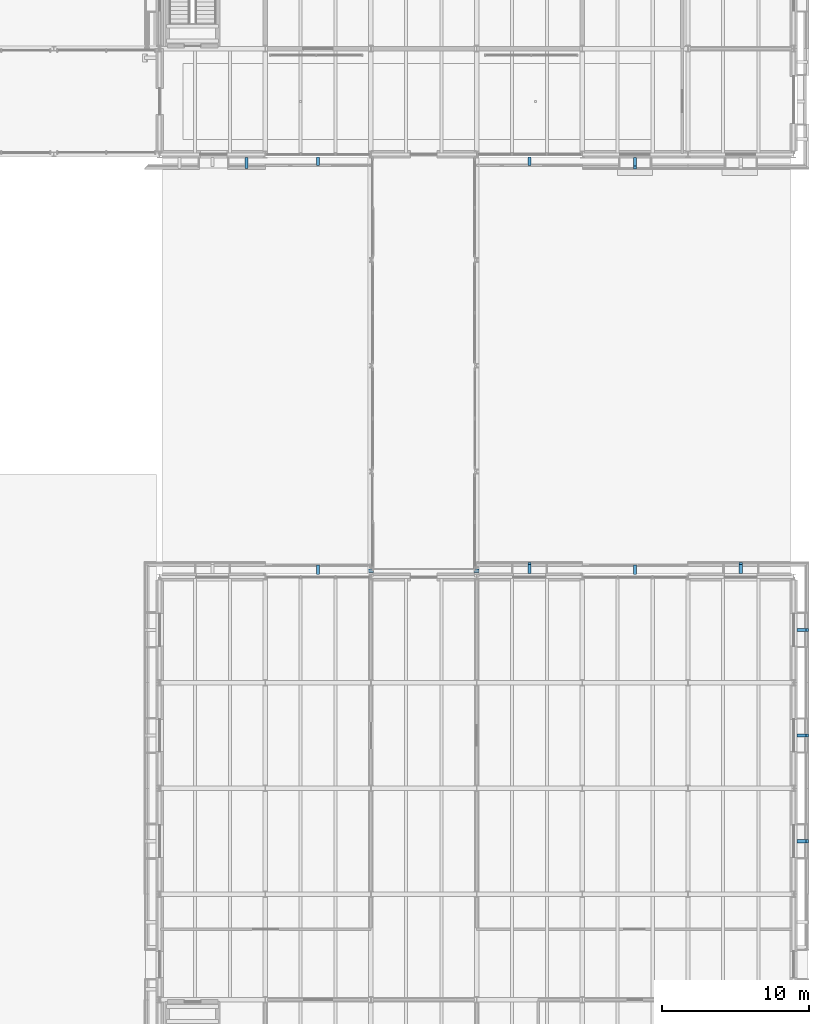
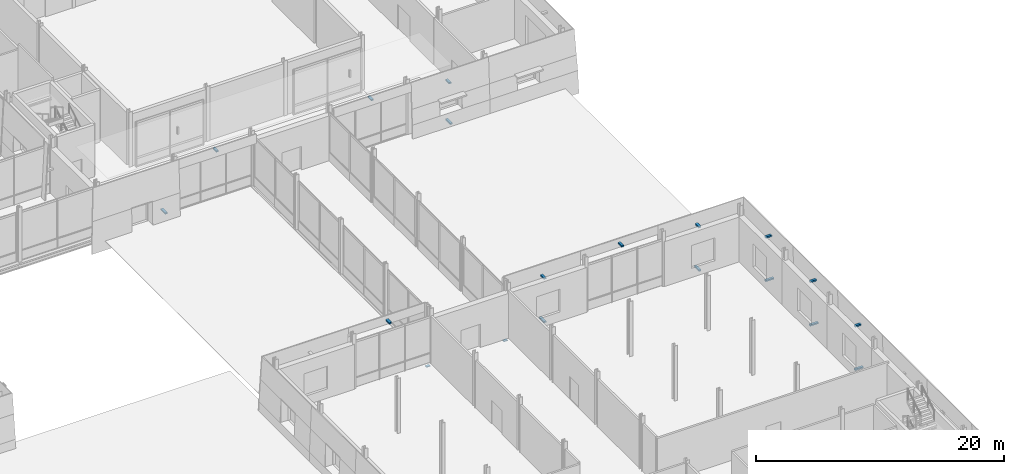
# One storey, part 95 of 120: 19 discrete accessories.
"""IFC4 building model written with IfcOpenShell, lengths in metres."""

import ifcopenshell
import ifcopenshell.guid

model = None  # the IFC model being written
_history = None  # IfcOwnerHistory: only IFC2X3 demands one
_inside = {}  # id of a spatial element -> (the spatial element, [elements in it])
_under = {}  # id of a project, library or spatial element -> (it, [spatial elements below it])
_declared = {}  # id of a project -> (the project, [libraries it declares])
_typed = {}  # id of a type object -> (the type object, [elements of that type])
_made_of = {}  # id of a material, layer set ... -> (it, [elements and type objects made of it])


def new_model(schema):
    """Start an empty IFC model of exactly this schema.

    Asked for "IFC4X3", IfcOpenShell would pick the latest addendum, in which some entities
    have other attributes; the version numbers below select the first issue.
    IFC2X3 requires an IfcOwnerHistory on every rooted entity: one is made here for all.
    """
    global model, _history
    if schema == "IFC4X3":
        model = ifcopenshell.file(schema_version=(4, 3, 0, 0))
    else:
        model = ifcopenshell.file(schema=schema)
    _inside.clear()
    _under.clear()
    _declared.clear()
    _typed.clear()
    _made_of.clear()
    _history = None
    if model.schema == "IFC2X3":
        org = make("IfcOrganization", Name="unknown")
        user = make(
            "IfcPersonAndOrganization",
            ThePerson=make("IfcPerson", FamilyName="unknown"),
            TheOrganization=org,
        )
        app = make(
            "IfcApplication",
            ApplicationDeveloper=org,
            Version="unknown",
            ApplicationFullName="unknown",
            ApplicationIdentifier="unknown",
        )
        _history = make(
            "IfcOwnerHistory",
            OwningUser=user,
            OwningApplication=app,
            ChangeAction="ADDED",
            CreationDate=0,
        )
    return model


def make(cls, **values):
    """One entity of the class cls with the attributes given. An attribute that is None is left unset."""
    return model.create_entity(
        cls, **{name: value for name, value in values.items() if value is not None}
    )


def rooted(cls, **values):
    """An entity with a GlobalId (a new one), such as an element, a storey or a relation."""
    return make(cls, GlobalId=ifcopenshell.guid.new(), OwnerHistory=_history, **values)


def si_unit(unit_type, name, prefix=None):
    """IfcSIUnit, for example si_unit("LENGTHUNIT", "METRE", prefix="MILLI")."""
    return make("IfcSIUnit", UnitType=unit_type, Prefix=prefix, Name=name)


def assignment(units):
    """IfcUnitAssignment: the units of a project."""
    return None if units is None else make("IfcUnitAssignment", Units=units)


def point(xyz):
    """IfcCartesianPoint."""
    return None if xyz is None else make("IfcCartesianPoint", Coordinates=xyz)


def direction(xyz):
    """IfcDirection."""
    return None if xyz is None else make("IfcDirection", DirectionRatios=xyz)


def frame(location, z_axis=None, x_axis=None):
    """IfcAxis2Placement3D, a coordinate frame: its origin and axes. An axis left out is left unset."""
    return make(
        "IfcAxis2Placement3D",
        Location=point(location),
        Axis=direction(z_axis),
        RefDirection=direction(x_axis),
    )


def frame_2d(location, x_axis=None):
    """IfcAxis2Placement2D, a coordinate frame in the plane: its origin and x axis."""
    return make(
        "IfcAxis2Placement2D", Location=point(location), RefDirection=direction(x_axis)
    )


def origin():
    """The frame at (0, 0, 0) with its axes left unset."""
    return frame((0.0, 0.0, 0.0))


def origin_2d():
    """The frame at (0, 0) in the plane with its x axis left unset."""
    return frame_2d((0.0, 0.0))


def place(relative_to, where):
    """IfcLocalPlacement: puts the frame where relative to a parent placement (None: the world)."""
    return make(
        "IfcLocalPlacement", PlacementRelTo=relative_to, RelativePlacement=where
    )


def context(
    kind, dimensions, precision=None, world=None, true_north=None, identifier=None
):
    """IfcGeometricRepresentationContext, for example the 3D "Model" context."""
    return make(
        "IfcGeometricRepresentationContext",
        ContextIdentifier=identifier,
        ContextType=kind,
        CoordinateSpaceDimension=dimensions,
        Precision=precision,
        WorldCoordinateSystem=world,
        TrueNorth=true_north,
    )


def subcontext(parent, identifier, kind, view, scale=None):
    """IfcGeometricRepresentationSubContext, for example "Body" below "Model"."""
    return make(
        "IfcGeometricRepresentationSubContext",
        ContextIdentifier=identifier,
        ContextType=kind,
        ParentContext=parent,
        TargetScale=scale,
        TargetView=view,
    )


def project(units=None, contexts=None):
    """IfcProject with its units and contexts."""
    return rooted(
        "IfcProject",
        Name="project",
        RepresentationContexts=contexts,
        UnitsInContext=assignment(units),
    )


def spatial(cls, under=None, at=None, **own):
    """A site, building, storey or space (cls), placed at a placement, below another one or the project."""
    s = rooted(cls, ObjectPlacement=at, **own)
    if under is not None:
        _under.setdefault(under.id(), (under, []))[1].append(s)
    return s


def profile(cls, at=None, kind="AREA", **sizes):
    """A parametric profile (cls). Its sizes go by their IFC names, for example OverallWidth=200.0."""
    return make(cls, ProfileType=kind, Position=at, **sizes)


def rectangle(**sizes):
    """IfcRectangleProfileDef."""
    return profile("IfcRectangleProfileDef", **sizes)


def extrude(swept, where, along, depth):
    """IfcExtrudedAreaSolid: the profile swept, set in the frame where, extruded along a direction by depth."""
    return make(
        "IfcExtrudedAreaSolid",
        SweptArea=swept,
        Position=where,
        ExtrudedDirection=direction(along),
        Depth=depth,
    )


def shape(context_of_items, identifier, shape_type, items):
    """IfcShapeRepresentation: the items that make up one representation, for example the "Body"."""
    return make(
        "IfcShapeRepresentation",
        ContextOfItems=context_of_items,
        RepresentationIdentifier=identifier,
        RepresentationType=shape_type,
        Items=items,
    )


def material(Name=None, Category=None):
    """IfcMaterial."""
    return make("IfcMaterial", Name=Name, Category=Category)


def layer(
    of_material, thickness, ventilated=None, Name=None, Category=None, Priority=None
):
    """IfcMaterialLayer: one layer of a wall or slab, of a material (None: an air gap)."""
    return make(
        "IfcMaterialLayer",
        Material=of_material,
        LayerThickness=thickness,
        IsVentilated=ventilated,
        Name=Name,
        Category=Category,
        Priority=Priority,
    )


def layer_set(layers, Name=None):
    """IfcMaterialLayerSet."""
    return make("IfcMaterialLayerSet", MaterialLayers=layers, LayerSetName=Name)


def made_of(thing, what):
    """Note that an element or type object is made of a material, layer set ...; save() writes the relation."""
    if what is not None:
        _made_of.setdefault(what.id(), (what, []))[1].append(thing)
    return thing


def type_object(cls, material=None, **own):
    """A type object (cls), such as IfcWallType, which elements share."""
    return made_of(rooted(cls, **own), material)


def element(
    cls,
    number,
    at=None,
    inside=None,
    cuts=None,
    type_object=None,
    material=None,
    context=None,
    identifier="Body",
    shape_type=None,
    held_by="IfcProductDefinitionShape",
    body=None,
    shapes=None,
    **own,
):
    """One element of the class cls, such as IfcWall. Its Tag is "e" and its number.

    at: its placement. inside: the storey or other place that contains it. cuts: it is an
    opening in that element (IfcRelVoidsElement). A single representation is given by context,
    identifier, shape_type and body (its items); several are given by shapes. held_by: the class
    of the entity that holds the representations. save() writes the other relations.
    """
    e = rooted(cls, Tag="e%d" % number, ObjectPlacement=at, **own)
    if body is not None:
        shapes = [shape(context, identifier, shape_type, body)]
    if shapes is not None:
        e.Representation = make(held_by, Representations=shapes)
    if inside is not None:
        _inside.setdefault(inside.id(), (inside, []))[1].append(e)
    if cuts is not None:
        rooted(
            "IfcRelVoidsElement", RelatingBuildingElement=cuts, RelatedOpeningElement=e
        )
    if type_object is not None:
        _typed.setdefault(type_object.id(), (type_object, []))[1].append(e)
    return made_of(e, material)


def aggregate(whole, parts):
    """IfcRelAggregates: a whole, such as a stair, and the parts it consists of."""
    return rooted("IfcRelAggregates", RelatingObject=whole, RelatedObjects=parts)


def save(model, path):
    """Write the relations noted so far, then the file.

    IfcRelAggregates (storeys below a building ...), IfcRelContainedInSpatialStructure (elements
    in a storey), IfcRelDefinesByType, IfcRelAssociatesMaterial and IfcRelDeclares: one each for
    every whole, place, type object, material and project.
    """
    for whole, parts in _under.values():
        aggregate(whole, parts)
    for where, things in _inside.values():
        rooted(
            "IfcRelContainedInSpatialStructure",
            RelatedElements=things,
            RelatingStructure=where,
        )
    for kind, things in _typed.values():
        rooted("IfcRelDefinesByType", RelatedObjects=things, RelatingType=kind)
    for what, things in _made_of.values():
        rooted("IfcRelAssociatesMaterial", RelatedObjects=things, RelatingMaterial=what)
    for by, libraries in _declared.values():
        rooted("IfcRelDeclares", RelatingContext=by, RelatedDefinitions=libraries)
    model.write(path)


model = new_model("IFC4")

# Units and contexts
model_context = context("Model", 3, precision=1e-05, world=origin(), true_north=direction((0.0, 1.0)))
body_context = subcontext(model_context, "Body", "Model", "MODEL_VIEW")
ifc_project = project(units=[si_unit("LENGTHUNIT", "METRE"), si_unit("AREAUNIT", "SQUARE_METRE"), si_unit("VOLUMEUNIT", "CUBIC_METRE"), si_unit("PLANEANGLEUNIT", "RADIAN"), si_unit("MASSUNIT", "GRAM", prefix="KILO")], contexts=[model_context])

# Site, building, storey
site_placement = place(None, origin())
site = spatial("IfcSite", under=ifc_project, at=site_placement, CompositionType="ELEMENT")
building_placement = place(site_placement, origin())
building = spatial("IfcBuilding", under=site, at=building_placement, Name="Narikvali Park Central Library", CompositionType="ELEMENT")
storey_placement = place(building_placement, origin())
storey = spatial("IfcBuildingStorey", under=building, at=storey_placement, Name="L00", CompositionType="ELEMENT", Elevation=0.0)

# Discrete accessories
ifc_material = material(Name="Brushed Stainless Steel S355", Category="steel")
ifc_layer_1 = layer(ifc_material, 0.139892578125, Name="Brushed Stainless Steel S355")
ifc_layer_set_1 = layer_set([ifc_layer_1], Name="Brushed Stainless Steel S355")
discrete_accessory_type_1 = type_object("IfcDiscreteAccessoryType", Name="Cladding Stainless Tie-Back Corbel Bracket", PredefinedType="BRACKET", material=ifc_layer_set_1)
discrete_accessory_1_placement = place(storey_placement, frame((128.318603515625, 78.604248046875, 0.60986328125), z_axis=(0.0, 0.0, 1.0), x_axis=(1.0, 0.0, 0.0)))
element("IfcDiscreteAccessory", 1, at=discrete_accessory_1_placement, inside=storey, type_object=discrete_accessory_type_1, Name="Limestone Cladding Tie-Back Bracket V3-CLD-L00-S-B01-DR", PredefinedType="BRACKET", context=body_context, shape_type="SweptSolid", body=[
    extrude(rectangle(XDim=0.219970703125, YDim=0.731689453125, at=origin_2d()), origin(), (0.0, 0.0, 1.0), 0.139892578125),
])
for number, where, z_axis, x_axis, name in (
    (2, (133.199951171875, 78.72412109375, 4.8798828125), (0.0, 0.0, 1.0), (1.0, 0.0, 0.0), "Limestone Cladding Tie-Back Bracket V3-CLD-L00-S-B02-HDR"),
    (3, (147.60009765625, 78.72412109375, 4.8798828125), (0.0, 0.0, 1.0), (1.0, 0.0, 0.0), "Limestone Cladding Tie-Back Bracket V3-CLD-L00-S-B04-HDR"),
):
    element("IfcDiscreteAccessory", number, at=place(storey_placement, frame(where, z_axis=z_axis, x_axis=x_axis)), inside=storey, type_object=discrete_accessory_type_1, Name=name, PredefinedType="BRACKET", context=body_context, shape_type="SweptSolid", body=[
        extrude(rectangle(XDim=0.219970703125, YDim=0.572021484375, at=origin_2d()), origin(), (0.0, 0.0, 1.0), 0.139892578125),
    ])
discrete_accessory_2_placement = place(storey_placement, frame((154.800048828125, 78.592529296875, 0.1650390625), z_axis=(0.0, 0.0, 1.0), x_axis=(1.0, 0.0, 0.0)))
element("IfcDiscreteAccessory", 4, at=discrete_accessory_2_placement, inside=storey, type_object=discrete_accessory_type_1, Name="Limestone Cladding Tie-Back Bracket V3-CLD-L00-S-B05-SP", PredefinedType="BRACKET", context=body_context, shape_type="SweptSolid", body=[
    extrude(rectangle(XDim=0.219970703125, YDim=0.7548828125, at=origin_2d()), origin(), (0.0, 0.0, 1.0), 0.139892578125),
])
discrete_accessory_3_placement = place(storey_placement, frame((154.800048828125, 78.6826171875, 4.05517578125), z_axis=(0.0, 0.0, 1.0), x_axis=(1.0, 0.0, 0.0)))
element("IfcDiscreteAccessory", 5, at=discrete_accessory_3_placement, inside=storey, type_object=discrete_accessory_type_1, Name="Limestone Cladding Tie-Back Bracket V3-CLD-L00-S-B05-LN", PredefinedType="BRACKET", context=body_context, shape_type="SweptSolid", body=[
    extrude(rectangle(XDim=0.219970703125, YDim=0.5751953125, at=origin_2d()), origin(), (0.0, 0.0, 1.0), 0.139892578125),
])
discrete_accessory_4_placement = place(storey_placement, frame((166.2158203125, 32.39990234375, -0.06005859375), z_axis=(0.0, 0.0, 1.0), x_axis=(1.0, 0.0, 0.0)))
element("IfcDiscreteAccessory", 6, at=discrete_accessory_4_placement, inside=storey, type_object=discrete_accessory_type_1, Name="Limestone Cladding Tie-Back Bracket V6-CLD-L00-E-B05-SP", PredefinedType="BRACKET", context=body_context, shape_type="SweptSolid", body=[
    extrude(rectangle(XDim=0.771484375, YDim=0.219970703125, at=origin_2d()), origin(), (0.0, 0.0, 1.0), 0.139892578125),
])
discrete_accessory_5_placement = place(storey_placement, frame((166.137451171875, 32.39990234375, 4.205078125), z_axis=(0.0, 0.0, 1.0), x_axis=(1.0, 0.0, 0.0)))
element("IfcDiscreteAccessory", 7, at=discrete_accessory_5_placement, inside=storey, type_object=discrete_accessory_type_1, Name="Limestone Cladding Tie-Back Bracket V6-CLD-L00-E-B05-LN", PredefinedType="BRACKET", context=body_context, shape_type="SweptSolid", body=[
    extrude(rectangle(XDim=0.614990234375, YDim=0.219970703125, at=origin_2d()), origin(), (0.0, 0.0, 1.0), 0.139892578125),
])
discrete_accessory_6_placement = place(storey_placement, frame((166.2158203125, 39.60009765625, -0.06005859375), z_axis=(0.0, 0.0, 1.0), x_axis=(1.0, 0.0, 0.0)))
element("IfcDiscreteAccessory", 8, at=discrete_accessory_6_placement, inside=storey, type_object=discrete_accessory_type_1, Name="Limestone Cladding Tie-Back Bracket V6-CLD-L00-E-B06-SP", PredefinedType="BRACKET", context=body_context, shape_type="SweptSolid", body=[
    extrude(rectangle(XDim=0.771484375, YDim=0.219970703125, at=origin_2d()), origin(), (0.0, 0.0, 1.0), 0.139892578125),
])
discrete_accessory_7_placement = place(storey_placement, frame((166.137451171875, 39.60009765625, 4.205078125), z_axis=(0.0, 0.0, 1.0), x_axis=(1.0, 0.0, 0.0)))
element("IfcDiscreteAccessory", 9, at=discrete_accessory_7_placement, inside=storey, type_object=discrete_accessory_type_1, Name="Limestone Cladding Tie-Back Bracket V6-CLD-L00-E-B06-LN", PredefinedType="BRACKET", context=body_context, shape_type="SweptSolid", body=[
    extrude(rectangle(XDim=0.614990234375, YDim=0.219970703125, at=origin_2d()), origin(), (0.0, 0.0, 1.0), 0.139892578125),
])
discrete_accessory_8_placement = place(storey_placement, frame((166.2158203125, 46.800048828125, -0.06005859375), z_axis=(0.0, 0.0, 1.0), x_axis=(1.0, 0.0, 0.0)))
element("IfcDiscreteAccessory", 10, at=discrete_accessory_8_placement, inside=storey, type_object=discrete_accessory_type_1, Name="Limestone Cladding Tie-Back Bracket V6-CLD-L00-E-B07-SP", PredefinedType="BRACKET", context=body_context, shape_type="SweptSolid", body=[
    extrude(rectangle(XDim=0.771484375, YDim=0.219970703125, at=origin_2d()), origin(), (0.0, 0.0, 1.0), 0.139892578125),
])
discrete_accessory_9_placement = place(storey_placement, frame((166.137451171875, 46.800048828125, 4.205078125), z_axis=(0.0, 0.0, 1.0), x_axis=(1.0, 0.0, 0.0)))
element("IfcDiscreteAccessory", 11, at=discrete_accessory_9_placement, inside=storey, type_object=discrete_accessory_type_1, Name="Limestone Cladding Tie-Back Bracket V6-CLD-L00-E-B07-LN", PredefinedType="BRACKET", context=body_context, shape_type="SweptSolid", body=[
    extrude(rectangle(XDim=0.614990234375, YDim=0.219970703125, at=origin_2d()), origin(), (0.0, 0.0, 1.0), 0.139892578125),
])
discrete_accessory_10_placement = place(storey_placement, frame((162.0, 51.015869140625, -0.06005859375), z_axis=(0.0, 0.0, 1.0), x_axis=(1.0, 0.0, 0.0)))
element("IfcDiscreteAccessory", 12, at=discrete_accessory_10_placement, inside=storey, type_object=discrete_accessory_type_1, Name="Limestone Cladding Tie-Back Bracket V6-CLD-L00-N-B01-SP", PredefinedType="BRACKET", context=body_context, shape_type="SweptSolid", body=[
    extrude(rectangle(XDim=0.219970703125, YDim=0.771484375, at=origin_2d()), origin(), (0.0, 0.0, 1.0), 0.139892578125),
])
discrete_accessory_11_placement = place(storey_placement, frame((162.0, 50.9375, 4.205078125), z_axis=(0.0, 0.0, 1.0), x_axis=(1.0, 0.0, 0.0)))
element("IfcDiscreteAccessory", 13, at=discrete_accessory_11_placement, inside=storey, type_object=discrete_accessory_type_1, Name="Limestone Cladding Tie-Back Bracket V6-CLD-L00-N-B01-LN", PredefinedType="BRACKET", context=body_context, shape_type="SweptSolid", body=[
    extrude(rectangle(XDim=0.219970703125, YDim=0.614990234375, at=origin_2d()), origin(), (0.0, 0.0, 1.0), 0.139892578125),
])
discrete_accessory_12_placement = place(storey_placement, frame((154.800048828125, 50.90380859375, 4.8798828125), z_axis=(0.0, 0.0, 1.0), x_axis=(1.0, 0.0, 0.0)))
element("IfcDiscreteAccessory", 14, at=discrete_accessory_12_placement, inside=storey, type_object=discrete_accessory_type_1, Name="Limestone Cladding Tie-Back Bracket V6-CLD-L00-N-B02-HDR", PredefinedType="BRACKET", context=body_context, shape_type="SweptSolid", body=[
    extrude(rectangle(XDim=0.219970703125, YDim=0.62744140625, at=origin_2d()), origin(), (0.0, 0.0, 1.0), 0.139892578125),
])
discrete_accessory_13_placement = place(storey_placement, frame((147.60009765625, 51.015869140625, -0.06005859375), z_axis=(0.0, 0.0, 1.0), x_axis=(1.0, 0.0, 0.0)))
element("IfcDiscreteAccessory", 15, at=discrete_accessory_13_placement, inside=storey, type_object=discrete_accessory_type_1, Name="Limestone Cladding Tie-Back Bracket V6-CLD-L00-N-B03-SP", PredefinedType="BRACKET", context=body_context, shape_type="SweptSolid", body=[
    extrude(rectangle(XDim=0.219970703125, YDim=0.771484375, at=origin_2d()), origin(), (0.0, 0.0, 1.0), 0.139892578125),
])
discrete_accessory_14_placement = place(storey_placement, frame((147.60009765625, 50.9375, 4.205078125), z_axis=(0.0, 0.0, 1.0), x_axis=(1.0, 0.0, 0.0)))
element("IfcDiscreteAccessory", 16, at=discrete_accessory_14_placement, inside=storey, type_object=discrete_accessory_type_1, Name="Limestone Cladding Tie-Back Bracket V6-CLD-L00-N-B03-LN", PredefinedType="BRACKET", context=body_context, shape_type="SweptSolid", body=[
    extrude(rectangle(XDim=0.219970703125, YDim=0.614990234375, at=origin_2d()), origin(), (0.0, 0.0, 1.0), 0.139892578125),
])
discrete_accessory_15_placement = place(storey_placement, frame((133.199951171875, 50.90380859375, 4.8798828125), z_axis=(0.0, 0.0, 1.0), x_axis=(1.0, 0.0, 0.0)))
element("IfcDiscreteAccessory", 17, at=discrete_accessory_15_placement, inside=storey, type_object=discrete_accessory_type_1, Name="Limestone Cladding Tie-Back Bracket V6-CLD-L00-N-B05-HDR", PredefinedType="BRACKET", context=body_context, shape_type="SweptSolid", body=[
    extrude(rectangle(XDim=0.219970703125, YDim=0.62744140625, at=origin_2d()), origin(), (0.0, 0.0, 1.0), 0.139892578125),
])
ifc_layer_2 = layer(ifc_material, 0.080078125, Name="Brushed Stainless Steel S355")
ifc_layer_set_2 = layer_set([ifc_layer_2], Name="Brushed Stainless Steel S355")
discrete_accessory_type_2 = type_object("IfcDiscreteAccessoryType", Name="Unguided PTFE Sliding Bridge Bearing", PredefinedType="BRACKET", material=ifc_layer_set_2)
for number, where, z_axis, x_axis, name in (
    (18, (136.800048828125, 50.830078125, -0.68994140625), (0.0, 0.0, 1.0), (1.0, 0.0, 0.0), "BRG-4 L00 Unguided PTFE Sliding Bearing 1"),
    (19, (144.0, 50.830078125, -0.68994140625), (0.0, 0.0, 1.0), (1.0, 0.0, 0.0), "BRG-4 L00 Unguided PTFE Sliding Bearing 2"),
):
    element("IfcDiscreteAccessory", number, at=place(storey_placement, frame(where, z_axis=z_axis, x_axis=x_axis)), inside=storey, type_object=discrete_accessory_type_2, Name=name, PredefinedType="BRACKET", context=body_context, shape_type="SweptSolid", body=[
        extrude(rectangle(XDim=0.360107421875, YDim=0.239990234375, at=origin_2d()), origin(), (0.0, 0.0, 1.0), 0.080078125),
    ])

save(model, "model.ifc")
